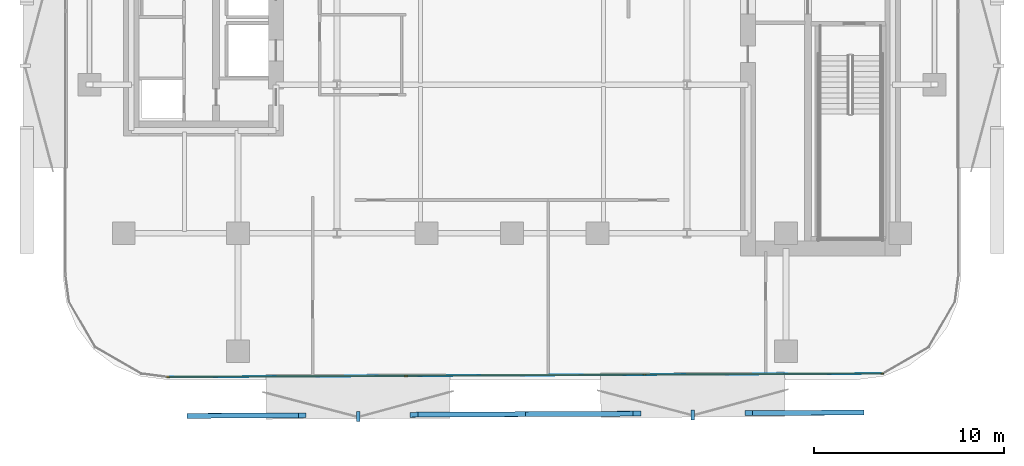
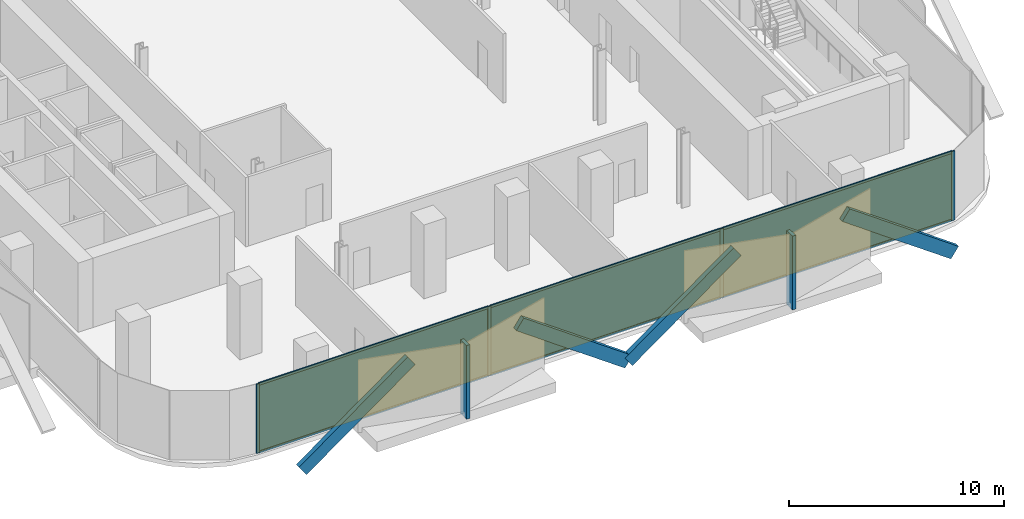
# One storey, part 7 of 15: 16 members, 3 plates, 1 curtain wall.
"""IFC4 building model written with IfcOpenShell, lengths in metres."""

from ifc_helpers import new_model, si_unit, direction, frame, frame_2d, origin, origin_2d, place, context, subcontext, project, spatial, rectangle, extrude, material, layer, layer_set, material_profile, profile_set, type_object, element, aggregate, save


model = new_model("IFC4")

# Units and contexts
model_context = context("Model", 3, precision=1e-05, world=origin(), true_north=direction((0.0, 1.0)))
body_context = subcontext(model_context, "Body", "Model", "MODEL_VIEW")
ifc_project = project(units=[si_unit("LENGTHUNIT", "METRE"), si_unit("AREAUNIT", "SQUARE_METRE"), si_unit("VOLUMEUNIT", "CUBIC_METRE"), si_unit("PLANEANGLEUNIT", "RADIAN"), si_unit("MASSUNIT", "GRAM", prefix="KILO")], contexts=[model_context])

# Member
ifc_material_1 = material(Name="Anodised Bronze Aluminium 6063-T6", Category="aluminium")
ifc_material_profile_1 = material_profile(ifc_material_1, rectangle(XDim=0.260009765625, YDim=0.699951171875, at=origin_2d()))
ifc_profile_set_1 = profile_set([ifc_material_profile_1], Name="Anodised Bronze Aluminium 6063-T6")
member_type_1 = type_object("IfcMemberType", Name="Bronze Diamond Solar-Screen Lattice Rib BDL-700", PredefinedType="MULLION", material=ifc_profile_set_1)
site_placement = place(None, origin())
building_placement = place(site_placement, origin())
storey_placement = place(building_placement, frame((0.0, 0.0, 143.60009765625)))
member_1_placement = place(storey_placement, frame((18.297119140625, -28.02197265625, -0.130126953125), z_axis=(-0.812934840677, -0.003994433113, 0.582340956243), x_axis=(-0.007759286777, 0.999962004517, -0.003972781225)))
member_1 = element("IfcMember", 1, at=member_1_placement, type_object=member_type_1, Name="L33 Bronze Diamond Solar Screen Lattice Rib 209A", PredefinedType="MULLION", context=body_context, shape_type="SweptSolid", body=[
    extrude(rectangle(XDim=0.260009765625, YDim=0.699951171875, at=origin_2d()), origin(), (0.0, 0.0, 1.0), 7.212158203125),
])

member_2_placement = place(storey_placement, frame((0.7080078125, -28.108154296875, -0.130126953125), z_axis=(0.812934840677, 0.003994433113, 0.582340956243), x_axis=(0.007759286777, -0.999962004517, -0.003972781225)))
member_2 = element("IfcMember", 2, at=member_2_placement, type_object=member_type_1, Name="L33 Bronze Diamond Solar Screen Lattice Rib 209B", PredefinedType="MULLION", context=body_context, shape_type="SweptSolid", body=[
    extrude(rectangle(XDim=0.260009765625, YDim=0.699951171875, at=origin_2d()), origin(), (0.0, 0.0, 1.0), 7.212158203125),
])

member_3_placement = place(storey_placement, frame((0.7080078125, -28.108154296875, -0.130126953125), z_axis=(-0.812923469496, -0.00396069151, 0.582357060287), x_axis=(-0.007717930273, 0.999962324795, -0.003972724849)))
member_3 = element("IfcMember", 3, at=member_3_placement, type_object=member_type_1, Name="L33 Bronze Diamond Solar Screen Lattice Rib 210A", PredefinedType="MULLION", context=body_context, shape_type="SweptSolid", body=[
    extrude(rectangle(XDim=0.260009765625, YDim=0.699951171875, at=origin_2d()), origin(), (0.0, 0.0, 1.0), 7.2119140625),
])

member_4_placement = place(storey_placement, frame((-16.880859375, -28.194091796875, -0.130126953125), z_axis=(0.812934840677, 0.003994433113, 0.582340956243), x_axis=(0.007759286777, -0.999962004517, -0.003972781225)))
member_4 = element("IfcMember", 4, at=member_4_placement, type_object=member_type_1, Name="L33 Bronze Diamond Solar Screen Lattice Rib 210B", PredefinedType="MULLION", context=body_context, shape_type="SweptSolid", body=[
    extrude(rectangle(XDim=0.260009765625, YDim=0.699951171875, at=origin_2d()), origin(), (0.0, 0.0, 1.0), 7.212158203125),
])

ifc_material_2 = material(Name="Anodised Bronze Aluminium 6063-T6", Category="aluminium")
ifc_material_profile_2 = material_profile(ifc_material_2, rectangle(XDim=0.179931640625, YDim=0.5400390625, at=origin_2d()))
ifc_profile_set_2 = profile_set([ifc_material_profile_2], Name="Anodised Bronze Aluminium 6063-T6")
member_type_2 = type_object("IfcMemberType", Name="Bronze Solar-Screen Vertical Fold Fin BSF-540", PredefinedType="MULLION", material=ifc_profile_set_2)
member_5_placement = place(storey_placement, frame((9.5029296875, -28.14501953125, -0.130126953125), z_axis=(0.0, 0.0, 1.0), x_axis=(-0.999988059021, -0.004886902454, 0.0)))
member_5 = element("IfcMember", 5, at=member_5_placement, type_object=member_type_2, Name="L33 Bronze Solar Screen Vertical Fin 209", PredefinedType="MULLION", context=body_context, shape_type="SweptSolid", body=[
    extrude(rectangle(XDim=0.179931640625, YDim=0.5400390625, at=origin_2d()), origin(), (0.0, 0.0, 1.0), 4.199951171875),
])

member_6_placement = place(storey_placement, frame((-8.0859375, -28.231201171875, -0.130126953125), z_axis=(0.0, 0.0, 1.0), x_axis=(-0.999988059021, -0.004886902454, 0.0)))
member_6 = element("IfcMember", 6, at=member_6_placement, type_object=member_type_2, Name="L33 Bronze Solar Screen Vertical Fin 210", PredefinedType="MULLION", context=body_context, shape_type="SweptSolid", body=[
    extrude(rectangle(XDim=0.179931640625, YDim=0.5400390625, at=origin_2d()), origin(), (0.0, 0.0, 1.0), 4.199951171875),
])

ifc_material_3 = material(Name="Anodised Bronze Aluminium 6063-T6", Category="aluminium")
ifc_material_profile_3 = material_profile(ifc_material_3, rectangle(XDim=0.06494140625, YDim=0.175048828125, at=origin_2d()))
ifc_profile_set_3 = profile_set([ifc_material_profile_3], Name="Anodised Bronze Aluminium 6063-T6")
member_type_3 = type_object("IfcMemberType", Name="CW-Z2 Mullion 65x175", PredefinedType="MULLION", material=ifc_profile_set_3)
member_7_placement = place(storey_placement, frame((19.45458984375, -25.976318359375, 0.0), z_axis=(0.0, 0.0, 1.0), x_axis=(0.004891127252, -0.999988038366, 0.0)))
member_7 = element("IfcMember", 7, at=member_7_placement, type_object=member_type_3, Name="CW-Z2 mullion 1", PredefinedType="MULLION", context=body_context, shape_type="SweptSolid", body=[
    extrude(rectangle(XDim=0.06494140625, YDim=0.175048828125, at=origin_2d()), origin(), (0.0, 0.0, 1.0), 3.93994140625),
])

member_8_placement = place(storey_placement, frame((6.961181640625, -26.037353515625, 0.0), z_axis=(0.0, 0.0, 1.0), x_axis=(0.004891127252, -0.999988038366, 0.0)))
member_8 = element("IfcMember", 8, at=member_8_placement, type_object=member_type_3, Name="CW-Z2 mullion 2", PredefinedType="MULLION", context=body_context, shape_type="SweptSolid", body=[
    extrude(rectangle(XDim=0.06494140625, YDim=0.175048828125, at=origin_2d()), origin(), (0.0, 0.0, 1.0), 3.93994140625),
])

member_9_placement = place(storey_placement, frame((-5.56494140625, -26.0986328125, 0.0), z_axis=(0.0, 0.0, 1.0), x_axis=(0.004891127252, -0.999988038366, 0.0)))
member_9 = element("IfcMember", 9, at=member_9_placement, type_object=member_type_3, Name="CW-Z2 mullion 3", PredefinedType="MULLION", context=body_context, shape_type="SweptSolid", body=[
    extrude(rectangle(XDim=0.06494140625, YDim=0.175048828125, at=origin_2d()), origin(), (0.0, 0.0, 1.0), 3.93994140625),
])

member_10_placement = place(storey_placement, frame((-18.058349609375, -26.159912109375, 0.0), z_axis=(0.0, 0.0, 1.0), x_axis=(0.004891127252, -0.999988038366, 0.0)))
member_10 = element("IfcMember", 10, at=member_10_placement, type_object=member_type_3, Name="CW-Z2 mullion 4", PredefinedType="MULLION", context=body_context, shape_type="SweptSolid", body=[
    extrude(rectangle(XDim=0.06494140625, YDim=0.175048828125, at=origin_2d()), origin(), (0.0, 0.0, 1.0), 3.93994140625),
])

ifc_material_4 = material(Name="Anodised Bronze Aluminium 6063-T6", Category="aluminium")
ifc_material_profile_4 = material_profile(ifc_material_4, rectangle(XDim=0.06494140625, YDim=0.135009765625, at=origin_2d()))
ifc_profile_set_4 = profile_set([ifc_material_profile_4], Name="Anodised Bronze Aluminium 6063-T6")
member_type_4 = type_object("IfcMemberType", Name="CW-Z2 Transom 65x135", PredefinedType="USERDEFINED", material=ifc_profile_set_4)
member_11_placement = place(storey_placement, frame((19.422119140625, -25.9765625, 0.032470703125), z_axis=(-0.999988037942, -0.00489121381, 0.0), x_axis=(0.00489121381, -0.999988037942, 0.0)))
member_11 = element("IfcMember", 11, at=member_11_placement, type_object=member_type_4, Name="CW-Z2 transom 1.1", ObjectType="TRANSOM", PredefinedType="USERDEFINED", context=body_context, shape_type="SweptSolid", body=[
    extrude(rectangle(XDim=0.06494140625, YDim=0.135009765625, at=origin_2d()), origin(), (0.0, 0.0, 1.0), 12.4287109375),
])

member_12_placement = place(storey_placement, frame((19.422119140625, -25.9765625, 3.907470703125), z_axis=(-0.999988037942, -0.00489121381, 0.0), x_axis=(0.00489121381, -0.999988037942, 0.0)))
member_12 = element("IfcMember", 12, at=member_12_placement, type_object=member_type_4, Name="CW-Z2 transom 1.2", ObjectType="TRANSOM", PredefinedType="USERDEFINED", context=body_context, shape_type="SweptSolid", body=[
    extrude(rectangle(XDim=0.06494140625, YDim=0.135009765625, at=origin_2d()), origin(), (0.0, 0.0, 1.0), 12.4287109375),
])

member_13_placement = place(storey_placement, frame((6.928466796875, -26.03759765625, 0.032470703125), z_axis=(-0.99998800443, -0.004898060367, 0.0), x_axis=(0.004898060367, -0.99998800443, 0.0)))
member_13 = element("IfcMember", 13, at=member_13_placement, type_object=member_type_4, Name="CW-Z2 transom 2.1", ObjectType="TRANSOM", PredefinedType="USERDEFINED", context=body_context, shape_type="SweptSolid", body=[
    extrude(rectangle(XDim=0.06494140625, YDim=0.135009765625, at=origin_2d()), origin(), (0.0, 0.0, 1.0), 12.461181640625),
])

member_14_placement = place(storey_placement, frame((6.928466796875, -26.03759765625, 3.907470703125), z_axis=(-0.99998800443, -0.004898060367, 0.0), x_axis=(0.004898060367, -0.99998800443, 0.0)))
member_14 = element("IfcMember", 14, at=member_14_placement, type_object=member_type_4, Name="CW-Z2 transom 2.2", ObjectType="TRANSOM", PredefinedType="USERDEFINED", context=body_context, shape_type="SweptSolid", body=[
    extrude(rectangle(XDim=0.06494140625, YDim=0.135009765625, at=origin_2d()), origin(), (0.0, 0.0, 1.0), 12.461181640625),
])

member_15_placement = place(storey_placement, frame((-5.597412109375, -26.098876953125, 0.032470703125), z_axis=(-0.999988037942, -0.00489121381, 0.0), x_axis=(0.00489121381, -0.999988037942, 0.0)))
member_15 = element("IfcMember", 15, at=member_15_placement, type_object=member_type_4, Name="CW-Z2 transom 3.1", ObjectType="TRANSOM", PredefinedType="USERDEFINED", context=body_context, shape_type="SweptSolid", body=[
    extrude(rectangle(XDim=0.06494140625, YDim=0.135009765625, at=origin_2d()), origin(), (0.0, 0.0, 1.0), 12.4287109375),
])

member_16_placement = place(storey_placement, frame((-5.597412109375, -26.098876953125, 3.907470703125), z_axis=(-0.999988037942, -0.00489121381, 0.0), x_axis=(0.00489121381, -0.999988037942, 0.0)))
member_16 = element("IfcMember", 16, at=member_16_placement, type_object=member_type_4, Name="CW-Z2 transom 3.2", ObjectType="TRANSOM", PredefinedType="USERDEFINED", context=body_context, shape_type="SweptSolid", body=[
    extrude(rectangle(XDim=0.06494140625, YDim=0.135009765625, at=origin_2d()), origin(), (0.0, 0.0, 1.0), 12.4287109375),
])

# Plate
ifc_material_5 = material(Name="Low-E Solar Control Laminated Glass", Category="glass")
ifc_layer_1 = layer(ifc_material_5, 0.028076171875, Name="Low-E Solar Control Laminated Glass")
ifc_layer_set_1 = layer_set([ifc_layer_1], Name="Low-E Solar Control Laminated Glass")
plate_type = type_object("IfcPlateType", Name="CW-Z2 Low-E Double Glazed Panel 28mm", PredefinedType="CURTAIN_PANEL", material=ifc_layer_set_1)
plate_1_placement = place(storey_placement, frame((13.207763671875, -26.0068359375, 0.06494140625), z_axis=(0.0, 0.0, 1.0), x_axis=(-0.999988038366, -0.004891127252, 0.0)))
plate_1 = element("IfcPlate", 17, at=plate_1_placement, type_object=plate_type, Name="CW-Z2 panel 1.1", PredefinedType="CURTAIN_PANEL", context=body_context, shape_type="SweptSolid", body=[
    extrude(rectangle(XDim=12.428466796875, YDim=0.028076171875, at=origin_2d()), origin(), (0.0, 0.0, 1.0), 3.81005859375),
])

plate_2_placement = place(storey_placement, frame((0.697998046875, -26.068115234375, 0.06494140625), z_axis=(0.0, 0.0, 1.0), x_axis=(-0.999988038366, -0.004891127252, 0.0)))
plate_2 = element("IfcPlate", 18, at=plate_2_placement, type_object=plate_type, Name="CW-Z2 panel 2.1", PredefinedType="CURTAIN_PANEL", context=body_context, shape_type="SweptSolid", body=[
    extrude(rectangle(XDim=12.461181640625, YDim=0.028076171875, at=origin_2d()), origin(), (0.0, 0.0, 1.0), 3.81005859375),
])

plate_3_placement = place(storey_placement, frame((-11.8115234375, -26.12939453125, 0.06494140625), z_axis=(0.0, 0.0, 1.0), x_axis=(-0.999988038366, -0.004891127252, 0.0)))
plate_3 = element("IfcPlate", 19, at=plate_3_placement, type_object=plate_type, Name="CW-Z2 panel 3.1", PredefinedType="CURTAIN_PANEL", context=body_context, shape_type="SweptSolid", body=[
    extrude(rectangle(XDim=12.428466796875, YDim=0.028076171875, at=origin_2d()), origin(), (0.0, 0.0, 1.0), 3.81005859375),
])

# Site, building, storey
site = spatial("IfcSite", under=ifc_project, at=site_placement, CompositionType="ELEMENT")
building = spatial("IfcBuilding", under=site, at=building_placement, Name="Khairoan Windgate Tower", CompositionType="ELEMENT")
storey = spatial("IfcBuildingStorey", under=building, at=storey_placement, Name="L33", CompositionType="ELEMENT", Elevation=143.60009765625)

# Curtain wall
ifc_material_6 = material(Name="Anodised Bronze Aluminium 6063-T6", Category="aluminium")
ifc_layer_2 = layer(ifc_material_6, 0.175048828125, Name="Anodised Bronze Aluminium 6063-T6")
ifc_layer_set_2 = layer_set([ifc_layer_2], Name="Anodised Bronze Aluminium 6063-T6")
curtain_wall_type = type_object("IfcCurtainWallType", Name="Mid-Rise Office Unitised Curtain Wall CW-Z2", PredefinedType="NOTDEFINED", material=ifc_layer_set_2)
curtain_wall_placement = place(storey_placement, frame((19.487060546875, -25.976318359375, 0.0), z_axis=(0.0, 0.0, 1.0), x_axis=(-0.999988065247, -0.004885628318, 0.0)))
curtain_wall = element("IfcCurtainWall", 20, at=curtain_wall_placement, inside=storey, type_object=curtain_wall_type, Name="L33 Unitised Curtain Wall 1", PredefinedType="NOTDEFINED", context=body_context, shape_type="SweptSolid", body=[
    extrude(rectangle(XDim=37.578369140625, YDim=0.010009765625, at=frame_2d((18.7890625, 0.0))), origin(), (0.0, 0.0, 1.0), 3.93994140625),
])

aggregate(curtain_wall, [member_7, member_8, member_9, member_10, member_11, member_12, plate_1, member_13, member_14, plate_2, member_15, member_16, plate_3, member_1, member_2, member_5, member_3, member_4, member_6])

save(model, "model.ifc")
